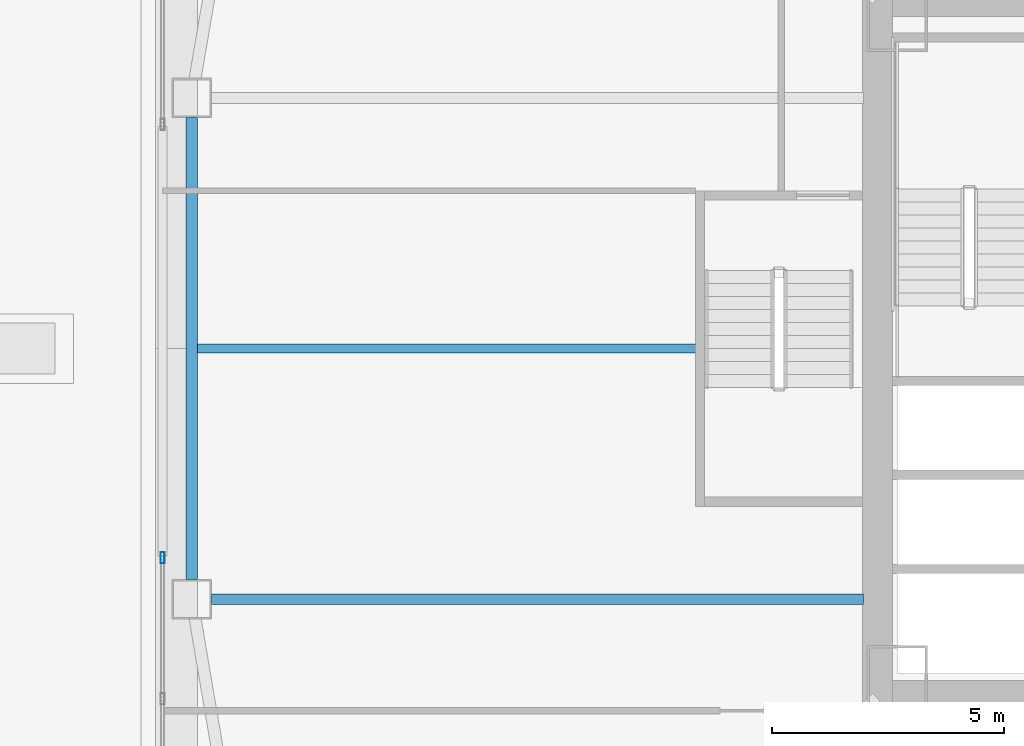
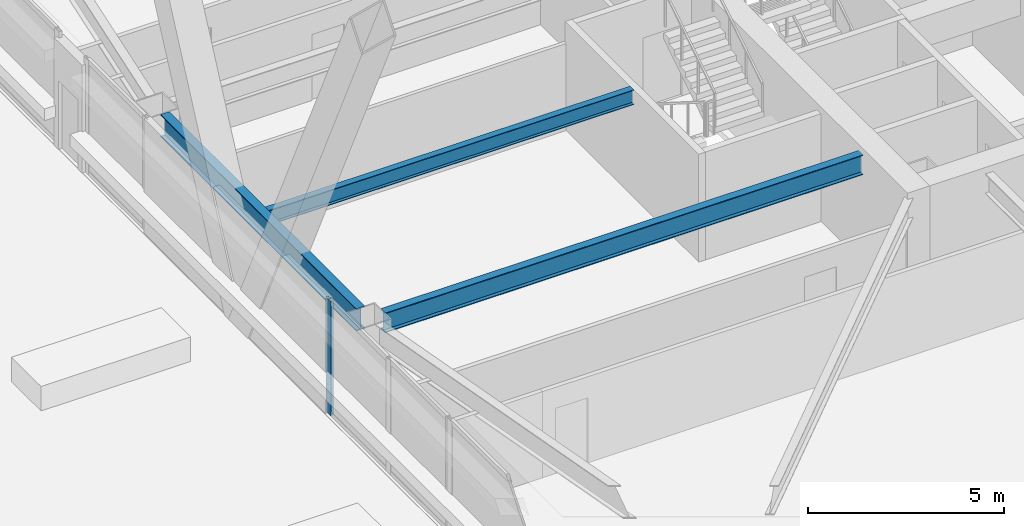
# One storey, part 8 of 83: 3 beams, 1 member, 1 element without a shape of its own.
"""IFC4 building model written with IfcOpenShell, lengths in metres."""

from ifc_helpers import new_model, si_unit, direction, frame, origin, origin_2d, place, context, subcontext, project, spatial, hollow_rectangle, i_section, extrude, material, material_profile, profile_set, type_object, element, aggregate, save


model = new_model("IFC4")

# Units and contexts
model_context = context("Model", 3, precision=1e-05, world=origin(), true_north=direction((0.0, 1.0)))
body_context = subcontext(model_context, "Body", "Model", "MODEL_VIEW")
ifc_project = project(units=[si_unit("LENGTHUNIT", "METRE"), si_unit("AREAUNIT", "SQUARE_METRE"), si_unit("VOLUMEUNIT", "CUBIC_METRE"), si_unit("PLANEANGLEUNIT", "RADIAN"), si_unit("MASSUNIT", "GRAM", prefix="KILO")], contexts=[model_context])

# Site, building, storey
site_placement = place(None, origin())
site = spatial("IfcSite", under=ifc_project, at=site_placement, CompositionType="ELEMENT")
building_placement = place(site_placement, origin())
building = spatial("IfcBuilding", under=site, at=building_placement, Name="Tashvorn Skyway Center", CompositionType="ELEMENT")
storey_placement = place(building_placement, frame((0.0, 0.0, 24.60009765625)))
storey = spatial("IfcBuildingStorey", under=building, at=storey_placement, Name="L05", CompositionType="ELEMENT", Elevation=24.60009765625)

# Beams
ifc_material_1 = material(Name="Steel ASTM A992 Grade 50", Category="steel")
ifc_material_profile_1 = material_profile(ifc_material_1, i_section(OverallWidth=0.22998046875, OverallDepth=0.616943359375, WebThickness=0.01318359375, FlangeThickness=0.022216796875, at=origin_2d()), Name="W24X94")
ifc_profile_set_1 = profile_set([ifc_material_profile_1], Name="Steel ASTM A992 Grade 50")
beam_type_1 = type_object("IfcBeamType", Name="BM-BEAM-W24X94", PredefinedType="BEAM", material=ifc_profile_set_1)
beam_1_placement = place(storey_placement, frame((20.169921875, 26.60009765625, 3.04150390625), z_axis=(1.0, 0.0, 0.0), x_axis=(0.0, 1.0, 0.0)))
element("IfcBeam", 1, at=beam_1_placement, inside=storey, type_object=beam_type_1, Name="Tower 1 L05 Primary Floor Girder FC-W2", PredefinedType="BEAM", context=body_context, shape_type="SweptSolid", body=[
    extrude(i_section(OverallWidth=0.22998046875, OverallDepth=0.616943359375, WebThickness=0.01318359375, FlangeThickness=0.022216796875, at=origin_2d()), origin(), (0.0, 0.0, 1.0), 14.050048828125),
])
ifc_material_profile_2 = material_profile(ifc_material_1, i_section(OverallWidth=0.19091796875, OverallDepth=0.4599609375, WebThickness=0.010009765625, FlangeThickness=0.01611328125, at=origin_2d()), Name="W18X55")
ifc_profile_set_2 = profile_set([ifc_material_profile_2], Name="Steel ASTM A992 Grade 50")
beam_type_2 = type_object("IfcBeamType", Name="BM-JOIST-W18X55", PredefinedType="JOIST", material=ifc_profile_set_2)
beam_2_placement = place(storey_placement, frame((30.610107421875, 32.0, 3.119873046875), z_axis=(-1.0, 0.0, 0.0), x_axis=(0.0, -1.0, 0.0)))
element("IfcBeam", 2, at=beam_2_placement, inside=storey, type_object=beam_type_2, Name="Tower 1 L05 Secondary Composite Joist JW", PredefinedType="JOIST", context=body_context, shape_type="SweptSolid", body=[
    extrude(i_section(OverallWidth=0.19091796875, OverallDepth=0.4599609375, WebThickness=0.010009765625, FlangeThickness=0.01611328125, at=origin_2d()), origin(), (0.0, 0.0, 1.0), 10.739990234375),
])
ifc_material_profile_3 = material_profile(ifc_material_1, i_section(OverallWidth=0.256103515625, OverallDepth=0.693115234375, WebThickness=0.014404296875, FlangeThickness=0.023681640625, at=origin_2d()), Name="W27X114")
ifc_profile_set_3 = profile_set([ifc_material_profile_3], Name="Steel ASTM A992 Grade 50")
beam_type_3 = type_object("IfcBeamType", Name="BM-SPANDREL-W27X114", PredefinedType="SPANDREL", material=ifc_profile_set_3)
beam_3_placement = place(storey_placement, frame((19.75, 36.97998046875, 3.00341796875), z_axis=(0.0, -1.0, 0.0), x_axis=(1.0, 0.0, 0.0)))
element("IfcBeam", 3, at=beam_3_placement, inside=storey, type_object=beam_type_3, Name="Tower 1 L05 Spandrel Beam 11", PredefinedType="SPANDREL", context=body_context, shape_type="SweptSolid", body=[
    extrude(i_section(OverallWidth=0.256103515625, OverallDepth=0.693115234375, WebThickness=0.014404296875, FlangeThickness=0.023681640625, at=origin_2d()), origin(), (0.0, 0.0, 1.0), 9.9599609375),
])

# Curtain wall, member
ifc_material_2 = material(Name="Thermally broken bronze-anodized aluminium 6063-T6", Category="aluminium")
curtain_wall_type = type_object("IfcCurtainWallType", Name="CW-CW-Z1", PredefinedType="NOTDEFINED", material=ifc_material_2)
curtain_wall_placement = place(storey_placement, origin())
curtain_wall = element("IfcCurtainWall", 4, at=curtain_wall_placement, inside=storey, type_object=curtain_wall_type, Name="Tower 1 L05 West Unitised Curtain Wall L Glazing Group 2", PredefinedType="NOTDEFINED")
ifc_material_profile_4 = material_profile(ifc_material_2, hollow_rectangle(XDim=0.0849609375, YDim=0.239990234375, WallThickness=0.0048828125, at=origin_2d()), Name="ALU-MULL-85x240")
ifc_profile_set_4 = profile_set([ifc_material_profile_4], Name="Thermally broken bronze-anodized aluminium 6063-T6")
member_type = type_object("IfcMemberType", Name="CWM-CW-Z1", PredefinedType="MULLION", material=ifc_profile_set_4)
member_placement = place(storey_placement, frame((19.1201171875, 27.492919921875, 0.0), z_axis=(0.0, 0.0, 1.0), x_axis=(-1.0, 0.0, 0.0)))
member = element("IfcMember", 5, at=member_placement, type_object=member_type, Name="CW-Z1 mullion 3", PredefinedType="MULLION", context=body_context, shape_type="SweptSolid", body=[
    extrude(hollow_rectangle(XDim=0.0849609375, YDim=0.239990234375, WallThickness=0.0048828125, at=origin_2d()), origin(), (0.0, 0.0, 1.0), 3.5498046875),
])
aggregate(curtain_wall, [member])

save(model, "model.ifc")
